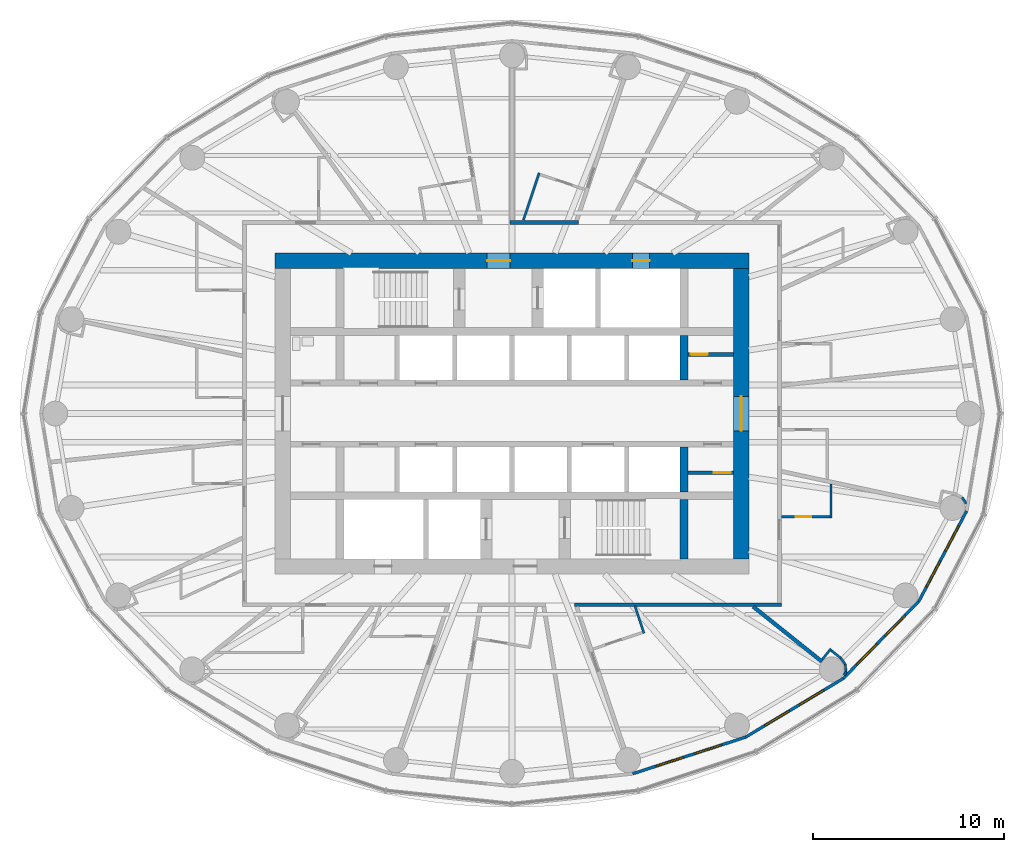
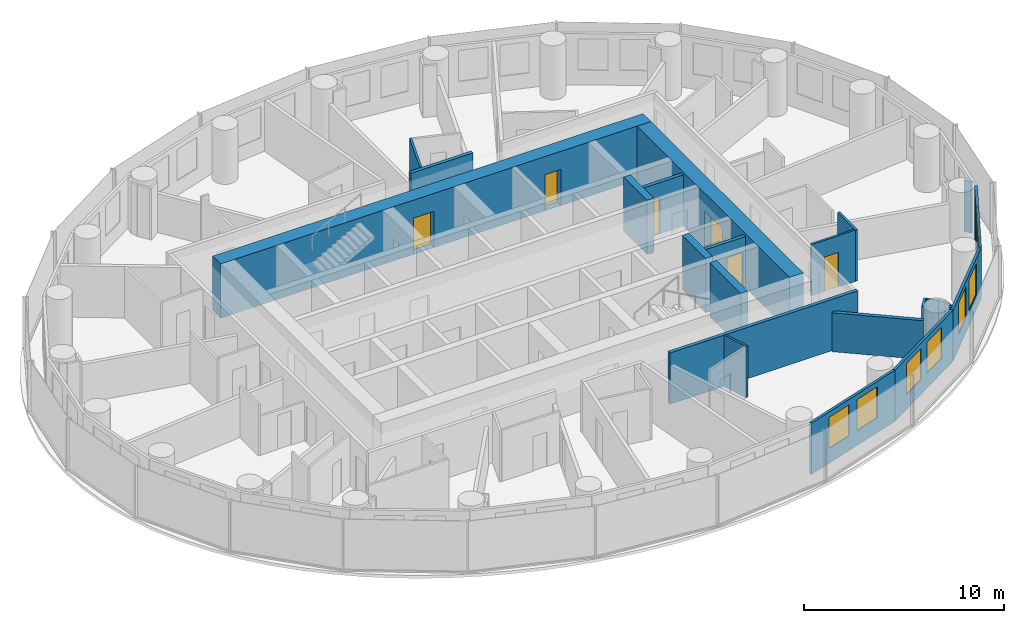
# One storey, part 9 of 14: 24 walls, 8 windows, 6 doors, 14 openings.
"""IFC4 building model written with IfcOpenShell, lengths in metres."""

from ifc_helpers import new_model, si_unit, direction, frame, frame_2d, origin, place, context, subcontext, project, spatial, rectangle, extrude, material, layer, layer_set, type_object, element, fill, save


model = new_model("IFC4")

# Units and contexts
model_context = context("Model", 3, precision=1e-05, world=origin(), true_north=direction((0.0, 1.0)))
body_context = subcontext(model_context, "Body", "Model", "MODEL_VIEW")
ifc_project = project(units=[si_unit("LENGTHUNIT", "METRE"), si_unit("AREAUNIT", "SQUARE_METRE"), si_unit("VOLUMEUNIT", "CUBIC_METRE"), si_unit("PLANEANGLEUNIT", "RADIAN"), si_unit("MASSUNIT", "GRAM", prefix="KILO")], contexts=[model_context])

# Site, building, storey
site_placement = place(None, origin())
site = spatial("IfcSite", under=ifc_project, at=site_placement, CompositionType="ELEMENT")
building_placement = place(site_placement, origin())
building = spatial("IfcBuilding", under=site, at=building_placement, Name="Hankou Lantern Tower", CompositionType="ELEMENT")
storey_placement = place(building_placement, frame((0.0, 0.0, 112.199951171875)))
storey = spatial("IfcBuildingStorey", under=building, at=storey_placement, Name="L28", CompositionType="ELEMENT", Elevation=112.199951171875)

# Wall, openings, doors
ifc_material_1 = material(Name="Concrete C60", Category="concrete")
ifc_layer_1 = layer(ifc_material_1, 0.800048828125)
ifc_layer_set_1 = layer_set([ifc_layer_1], Name="Concrete C60")
wall_type_1 = type_object("IfcWallType", Name="CW2 CORE WALL 800", PredefinedType="SHEAR", material=ifc_layer_set_1)
wall_1_placement = place(storey_placement, frame((-12.39990234375, 8.0, 0.0), z_axis=(0.0, 0.0, 1.0), x_axis=(1.0, 0.0, 0.0)))
wall_1 = element("IfcWall", 1, at=wall_1_placement, inside=storey, type_object=wall_type_1, Name="Core wall north L28", PredefinedType="SHEAR", context=body_context, shape_type="SweptSolid", body=[
    extrude(rectangle(XDim=24.7998046875, YDim=0.800048828125, at=frame_2d((12.39990234375, 0.0))), origin(), (0.0, 0.0, 1.0), 3.300048828125),
])
opening_1_placement = place(wall_1_placement, frame((11.10009765625, 0.0, 0.0)))
opening_1 = element("IfcOpeningElement", 2, at=opening_1_placement, cuts=wall_1, Name="Opening D5", PredefinedType="OPENING", context=body_context, shape_type="SweptSolid", body=[
    extrude(rectangle(XDim=1.199951171875, YDim=2.199951171875, at=frame_2d((0.60009765625, 1.10009765625))), frame((0.0, 0.409912109375, 0.0), z_axis=(0.0, -1.0, 0.0), x_axis=(1.0, 0.0, 0.0)), (0.0, 0.0, 1.0), 0.820068359375),
])
opening_2_placement = place(wall_1_placement, frame((18.699951171875, 0.0, 0.0)))
opening_2 = element("IfcOpeningElement", 3, at=opening_2_placement, cuts=wall_1, Name="Opening D7", PredefinedType="OPENING", context=body_context, shape_type="SweptSolid", body=[
    extrude(rectangle(XDim=0.89990234375, YDim=2.199951171875, at=frame_2d((0.449951171875, 1.10009765625))), frame((0.0, 0.409912109375, 0.0), z_axis=(0.0, -1.0, 0.0), x_axis=(1.0, 0.0, 0.0)), (0.0, 0.0, 1.0), 0.820068359375),
])
ifc_material_2 = material(Name="Steel door leaf", Category="steel")
door_type_1 = type_object("IfcDoorType", Name="D5 STAIR LOBBY DOOR 1200X2200", OperationType="SINGLE_SWING_LEFT", PredefinedType="DOOR", material=ifc_material_2)
door_1_placement = place(opening_1_placement, origin())
door_1 = element("IfcDoor", 4, at=door_1_placement, inside=storey, type_object=door_type_1, Name="Stair A lobby door", OperationType="SINGLE_SWING_LEFT", OverallHeight=2.199951171875, OverallWidth=1.199951171875, PredefinedType="DOOR", context=body_context, shape_type="SweptSolid", body=[
    extrude(rectangle(XDim=1.199951171875, YDim=2.199951171875, at=frame_2d((0.60009765625, 1.10009765625))), frame((0.0, 0.02490234375, 0.0), z_axis=(0.0, -1.0, 0.0), x_axis=(1.0, 0.0, 0.0)), (0.0, 0.0, 1.0), 0.050048828125),
])
fill(opening_1, door_1)
ifc_material_3 = material(Name="Steel door leaf", Category="steel")
door_type_2 = type_object("IfcDoorType", Name="D7 RISER DOOR 900X2200", OperationType="SINGLE_SWING_LEFT", PredefinedType="DOOR", material=ifc_material_3)
door_2_placement = place(opening_2_placement, origin())
door_2 = element("IfcDoor", 5, at=door_2_placement, inside=storey, type_object=door_type_2, Name="Riser N1 door", OperationType="SINGLE_SWING_RIGHT", OverallHeight=2.199951171875, OverallWidth=0.89990234375, PredefinedType="DOOR", context=body_context, shape_type="SweptSolid", body=[
    extrude(rectangle(XDim=0.89990234375, YDim=2.199951171875, at=frame_2d((0.449951171875, 1.10009765625))), frame((0.0, 0.02490234375, 0.0), z_axis=(0.0, -1.0, 0.0), x_axis=(1.0, 0.0, 0.0)), (0.0, 0.0, 1.0), 0.050048828125),
])
fill(opening_2, door_2)

# Wall, opening, door
wall_2_placement = place(storey_placement, frame((12.0, -7.60009765625, 0.0), z_axis=(0.0, 0.0, 1.0), x_axis=(0.0, 1.0, 0.0)))
wall_2 = element("IfcWall", 6, at=wall_2_placement, inside=storey, type_object=wall_type_1, Name="Core wall east L28", PredefinedType="SHEAR", context=body_context, shape_type="SweptSolid", body=[
    extrude(rectangle(XDim=15.2001953125, YDim=0.800048828125, at=frame_2d((7.60009765625, 0.0))), origin(), (0.0, 0.0, 1.0), 3.300048828125),
])
opening_3_placement = place(wall_2_placement, frame((6.699951171875, 0.0, 0.0)))
opening_3 = element("IfcOpeningElement", 7, at=opening_3_placement, cuts=wall_2, Name="Opening D6", PredefinedType="OPENING", context=body_context, shape_type="SweptSolid", body=[
    extrude(rectangle(XDim=1.800048828125, YDim=2.199951171875, at=frame_2d((0.89990234375, 1.10009765625))), frame((0.0, 0.409912109375, 0.0), z_axis=(0.0, -1.0, 0.0), x_axis=(1.0, 0.0, 0.0)), (0.0, 0.0, 1.0), 0.820068359375),
])
ifc_material_4 = material(Name="Steel door leaf", Category="steel")
door_type_3 = type_object("IfcDoorType", Name="D6 LIFT LOBBY DOOR 1800X2200", OperationType="DOUBLE_DOOR_DOUBLE_SWING", PredefinedType="DOOR", material=ifc_material_4)
door_3_placement = place(opening_3_placement, origin())
door_3 = element("IfcDoor", 8, at=door_3_placement, inside=storey, type_object=door_type_3, Name="Lift lobby east door", OperationType="DOUBLE_DOOR_DOUBLE_SWING", OverallHeight=2.199951171875, OverallWidth=1.800048828125, PredefinedType="DOOR", context=body_context, shape_type="SweptSolid", body=[
    extrude(rectangle(XDim=1.800048828125, YDim=2.199951171875, at=frame_2d((0.89990234375, 1.10009765625))), frame((0.0, 0.02490234375, 0.0), z_axis=(0.0, -1.0, 0.0), x_axis=(1.0, 0.0, 0.0)), (0.0, 0.0, 1.0), 0.050048828125),
])
fill(opening_3, door_3)

# Walls
ifc_material_5 = material(Name="Concrete C60", Category="concrete")
ifc_layer_2 = layer(ifc_material_5, 0.39990234375)
ifc_layer_set_2 = layer_set([ifc_layer_2], Name="Concrete C60")
wall_type_2 = type_object("IfcWallType", Name="CW4 CORE CROSS WALL 400", PredefinedType="SHEAR", material=ifc_layer_set_2)
for number, where, z_axis, x_axis, name in (
    (9, (9.0, 1.75, 0.0), (0.0, 0.0, 1.0), (0.0, 1.0, 0.0), "Core strip wall L28"),
    (10, (9.0, -4.10009765625, 0.0), (0.0, 0.0, 1.0), (0.0, 1.0, 0.0), "Core strip wall L28"),
):
    element("IfcWall", number, at=place(storey_placement, frame(where, z_axis=z_axis, x_axis=x_axis)), inside=storey, type_object=wall_type_2, Name=name, PredefinedType="SHEAR", context=body_context, shape_type="SweptSolid", body=[
        extrude(rectangle(XDim=2.35009765625, YDim=0.39990234375, at=frame_2d((1.175048828125, 0.0))), origin(), (0.0, 0.0, 1.0), 3.300048828125),
    ])
wall_3_placement = place(storey_placement, frame((9.0, -7.60009765625, 0.0), z_axis=(0.0, 0.0, 1.0), x_axis=(0.0, 1.0, 0.0)))
element("IfcWall", 11, at=wall_3_placement, inside=storey, type_object=wall_type_2, Name="Core strip wall L28", PredefinedType="SHEAR", context=body_context, shape_type="SweptSolid", body=[
    extrude(rectangle(XDim=3.10009765625, YDim=0.39990234375, at=frame_2d((1.550048828125, 0.0))), origin(), (0.0, 0.0, 1.0), 3.300048828125),
])

# Wall, openings, windows
ifc_material_6 = material(Name="Aluminium spandrel panel on steel studs", Category="steel")
ifc_layer_3 = layer(ifc_material_6, 0.14990234375)
ifc_layer_set_3 = layer_set([ifc_layer_3], Name="Aluminium spandrel panel on steel studs")
wall_type_3 = type_object("IfcWallType", Name="EW1 INNER SKIN WALL 150", PredefinedType="ELEMENTEDWALL", material=ifc_layer_set_3)
wall_4_placement = place(storey_placement, frame((6.3134765625, -18.849609375, 0.0), z_axis=(0.0, 0.0, 1.0), x_axis=(0.951272691506, 0.308350881944, 0.0)))
wall_4 = element("IfcWall", 12, at=wall_4_placement, inside=storey, type_object=wall_type_3, Name="Inner skin R20-R21 L28", PredefinedType="ELEMENTEDWALL", context=body_context, shape_type="SweptSolid", body=[
    extrude(rectangle(XDim=6.210693359375, YDim=0.14990234375, at=frame_2d((3.10546875, 0.0))), origin(), (0.0, 0.0, 1.0), 3.1201171875),
])
opening_4_placement = place(wall_4_placement, frame((1.305419921875, 0.0, 0.89990234375)))
opening_4 = element("IfcOpeningElement", 13, at=opening_4_placement, cuts=wall_4, Name="Opening W2", PredefinedType="OPENING", context=body_context, shape_type="SweptSolid", body=[
    extrude(rectangle(XDim=1.5, YDim=1.89990234375, at=frame_2d((0.75, 0.949951171875))), frame((0.0, 0.0849609375, 0.0), z_axis=(0.0, -1.0, 0.0), x_axis=(1.0, 0.0, 0.0)), (0.0, 0.0, 1.0), 0.169921875),
])
opening_5_placement = place(wall_4_placement, frame((3.4052734375, 0.0, 0.89990234375)))
opening_5 = element("IfcOpeningElement", 14, at=opening_5_placement, cuts=wall_4, Name="Opening W2", PredefinedType="OPENING", context=body_context, shape_type="SweptSolid", body=[
    extrude(rectangle(XDim=1.5, YDim=1.89990234375, at=frame_2d((0.75, 0.949951171875))), frame((0.0, 0.0849609375, 0.0), z_axis=(0.0, -1.0, 0.0), x_axis=(1.0, 0.0, 0.0)), (0.0, 0.0, 1.0), 0.169921875),
])
ifc_material_7 = material(Name="Aluminium framed double glazed window", Category="aluminium")
window_type = type_object("IfcWindowType", Name="W2 GUEST ROOM WINDOW 1500X1900", PartitioningType="DOUBLE_PANEL_VERTICAL", PredefinedType="WINDOW", material=ifc_material_7)
window_1_placement = place(opening_4_placement, origin())
window_1 = element("IfcWindow", 15, at=window_1_placement, inside=storey, type_object=window_type, Name="Window R20.1 L28", OverallHeight=1.89990234375, OverallWidth=1.5, PartitioningType="SINGLE_PANEL", PredefinedType="WINDOW", context=body_context, shape_type="SweptSolid", body=[
    extrude(rectangle(XDim=1.5, YDim=1.89990234375, at=frame_2d((0.75, 0.949951171875))), frame((0.0, 0.030029296875, 0.0), z_axis=(0.0, -1.0, 0.0), x_axis=(1.0, 0.0, 0.0)), (0.0, 0.0, 1.0), 0.06005859375),
])
fill(opening_4, window_1)
window_2_placement = place(opening_5_placement, origin())
window_2 = element("IfcWindow", 16, at=window_2_placement, inside=storey, type_object=window_type, Name="Window R20.2 L28", OverallHeight=1.89990234375, OverallWidth=1.5, PartitioningType="SINGLE_PANEL", PredefinedType="WINDOW", context=body_context, shape_type="SweptSolid", body=[
    extrude(rectangle(XDim=1.5, YDim=1.89990234375, at=frame_2d((0.75, 0.949951171875))), frame((0.0, 0.030029296875, 0.0), z_axis=(0.0, -1.0, 0.0), x_axis=(1.0, 0.0, 0.0)), (0.0, 0.0, 1.0), 0.06005859375),
])
fill(opening_5, window_2)

wall_5_placement = place(storey_placement, frame((12.221435546875, -16.9345703125, 0.0), z_axis=(0.0, 0.0, 1.0), x_axis=(0.857308573723, 0.514802884044, 0.0)))
wall_5 = element("IfcWall", 17, at=wall_5_placement, inside=storey, type_object=wall_type_3, Name="Inner skin R21-R22 L28", PredefinedType="ELEMENTEDWALL", context=body_context, shape_type="SweptSolid", body=[
    extrude(rectangle(XDim=5.961181640625, YDim=0.14990234375, at=frame_2d((2.98046875, 0.0))), origin(), (0.0, 0.0, 1.0), 3.1201171875),
])
opening_6_placement = place(wall_5_placement, frame((1.1806640625, 0.0, 0.89990234375)))
opening_6 = element("IfcOpeningElement", 18, at=opening_6_placement, cuts=wall_5, Name="Opening W2", PredefinedType="OPENING", context=body_context, shape_type="SweptSolid", body=[
    extrude(rectangle(XDim=1.5, YDim=1.89990234375, at=frame_2d((0.75, 0.949951171875))), frame((0.0, 0.0849609375, 0.0), z_axis=(0.0, -1.0, 0.0), x_axis=(1.0, 0.0, 0.0)), (0.0, 0.0, 1.0), 0.169921875),
])
opening_7_placement = place(wall_5_placement, frame((3.280517578125, 0.0, 0.89990234375)))
opening_7 = element("IfcOpeningElement", 19, at=opening_7_placement, cuts=wall_5, Name="Opening W2", PredefinedType="OPENING", context=body_context, shape_type="SweptSolid", body=[
    extrude(rectangle(XDim=1.5, YDim=1.89990234375, at=frame_2d((0.75, 0.949951171875))), frame((0.0, 0.0849609375, 0.0), z_axis=(0.0, -1.0, 0.0), x_axis=(1.0, 0.0, 0.0)), (0.0, 0.0, 1.0), 0.169921875),
])
window_3_placement = place(opening_6_placement, origin())
window_3 = element("IfcWindow", 20, at=window_3_placement, inside=storey, type_object=window_type, Name="Window R21.1 L28", OverallHeight=1.89990234375, OverallWidth=1.5, PartitioningType="SINGLE_PANEL", PredefinedType="WINDOW", context=body_context, shape_type="SweptSolid", body=[
    extrude(rectangle(XDim=1.5, YDim=1.89990234375, at=frame_2d((0.75, 0.949951171875))), frame((0.0, 0.030029296875, 0.0), z_axis=(0.0, -1.0, 0.0), x_axis=(1.0, 0.0, 0.0)), (0.0, 0.0, 1.0), 0.06005859375),
])
fill(opening_6, window_3)
window_4_placement = place(opening_7_placement, origin())
window_4 = element("IfcWindow", 21, at=window_4_placement, inside=storey, type_object=window_type, Name="Window R21.2 L28", OverallHeight=1.89990234375, OverallWidth=1.5, PartitioningType="SINGLE_PANEL", PredefinedType="WINDOW", context=body_context, shape_type="SweptSolid", body=[
    extrude(rectangle(XDim=1.5, YDim=1.89990234375, at=frame_2d((0.75, 0.949951171875))), frame((0.0, 0.030029296875, 0.0), z_axis=(0.0, -1.0, 0.0), x_axis=(1.0, 0.0, 0.0)), (0.0, 0.0, 1.0), 0.06005859375),
])
fill(opening_7, window_4)

wall_6_placement = place(storey_placement, frame((17.33203125, -13.86572265625, 0.0), z_axis=(0.0, 0.0, 1.0), x_axis=(0.700136650834, 0.714008872605, 0.0)))
wall_6 = element("IfcWall", 22, at=wall_6_placement, inside=storey, type_object=wall_type_3, Name="Inner skin R22-R23 L28", PredefinedType="ELEMENTEDWALL", context=body_context, shape_type="SweptSolid", body=[
    extrude(rectangle(XDim=5.6494140625, YDim=0.14990234375, at=frame_2d((2.82470703125, 0.0))), origin(), (0.0, 0.0, 1.0), 3.1201171875),
])
opening_8_placement = place(wall_6_placement, frame((1.024658203125, 0.0, 0.89990234375)))
opening_8 = element("IfcOpeningElement", 23, at=opening_8_placement, cuts=wall_6, Name="Opening W2", PredefinedType="OPENING", context=body_context, shape_type="SweptSolid", body=[
    extrude(rectangle(XDim=1.5, YDim=1.89990234375, at=frame_2d((0.75, 0.949951171875))), frame((0.0, 0.0849609375, 0.0), z_axis=(0.0, -1.0, 0.0), x_axis=(1.0, 0.0, 0.0)), (0.0, 0.0, 1.0), 0.169921875),
])
opening_9_placement = place(wall_6_placement, frame((3.12451171875, 0.0, 0.89990234375)))
opening_9 = element("IfcOpeningElement", 24, at=opening_9_placement, cuts=wall_6, Name="Opening W2", PredefinedType="OPENING", context=body_context, shape_type="SweptSolid", body=[
    extrude(rectangle(XDim=1.5, YDim=1.89990234375, at=frame_2d((0.75, 0.949951171875))), frame((0.0, 0.0849609375, 0.0), z_axis=(0.0, -1.0, 0.0), x_axis=(1.0, 0.0, 0.0)), (0.0, 0.0, 1.0), 0.169921875),
])
window_5_placement = place(opening_8_placement, origin())
window_5 = element("IfcWindow", 25, at=window_5_placement, inside=storey, type_object=window_type, Name="Window R22.1 L28", OverallHeight=1.89990234375, OverallWidth=1.5, PartitioningType="SINGLE_PANEL", PredefinedType="WINDOW", context=body_context, shape_type="SweptSolid", body=[
    extrude(rectangle(XDim=1.5, YDim=1.89990234375, at=frame_2d((0.75, 0.949951171875))), frame((0.0, 0.030029296875, 0.0), z_axis=(0.0, -1.0, 0.0), x_axis=(1.0, 0.0, 0.0)), (0.0, 0.0, 1.0), 0.06005859375),
])
fill(opening_8, window_5)
window_6_placement = place(opening_9_placement, origin())
window_6 = element("IfcWindow", 26, at=window_6_placement, inside=storey, type_object=window_type, Name="Window R22.2 L28", OverallHeight=1.89990234375, OverallWidth=1.5, PartitioningType="SINGLE_PANEL", PredefinedType="WINDOW", context=body_context, shape_type="SweptSolid", body=[
    extrude(rectangle(XDim=1.5, YDim=1.89990234375, at=frame_2d((0.75, 0.949951171875))), frame((0.0, 0.030029296875, 0.0), z_axis=(0.0, -1.0, 0.0), x_axis=(1.0, 0.0, 0.0)), (0.0, 0.0, 1.0), 0.06005859375),
])
fill(opening_9, window_6)

wall_7_placement = place(storey_placement, frame((21.287353515625, -9.83203125, 0.0), z_axis=(0.0, 0.0, 1.0), x_axis=(0.467814388454, 0.883826735257, 0.0)))
wall_7 = element("IfcWall", 27, at=wall_7_placement, inside=storey, type_object=wall_type_3, Name="Inner skin R23-R24 L28", PredefinedType="ELEMENTEDWALL", context=body_context, shape_type="SweptSolid", body=[
    extrude(rectangle(XDim=5.35400390625, YDim=0.14990234375, at=frame_2d((2.677001953125, 0.0))), origin(), (0.0, 0.0, 1.0), 3.1201171875),
])
opening_10_placement = place(wall_7_placement, frame((0.876953125, 0.0, 0.89990234375)))
opening_10 = element("IfcOpeningElement", 28, at=opening_10_placement, cuts=wall_7, Name="Opening W2", PredefinedType="OPENING", context=body_context, shape_type="SweptSolid", body=[
    extrude(rectangle(XDim=1.5, YDim=1.89990234375, at=frame_2d((0.75, 0.949951171875))), frame((0.0, 0.0849609375, 0.0), z_axis=(0.0, -1.0, 0.0), x_axis=(1.0, 0.0, 0.0)), (0.0, 0.0, 1.0), 0.169921875),
])
opening_11_placement = place(wall_7_placement, frame((2.97705078125, 0.0, 0.89990234375)))
opening_11 = element("IfcOpeningElement", 29, at=opening_11_placement, cuts=wall_7, Name="Opening W2", PredefinedType="OPENING", context=body_context, shape_type="SweptSolid", body=[
    extrude(rectangle(XDim=1.5, YDim=1.89990234375, at=frame_2d((0.75, 0.949951171875))), frame((0.0, 0.0849609375, 0.0), z_axis=(0.0, -1.0, 0.0), x_axis=(1.0, 0.0, 0.0)), (0.0, 0.0, 1.0), 0.169921875),
])
window_7_placement = place(opening_10_placement, origin())
window_7 = element("IfcWindow", 30, at=window_7_placement, inside=storey, type_object=window_type, Name="Window R23.1 L28", OverallHeight=1.89990234375, OverallWidth=1.5, PartitioningType="SINGLE_PANEL", PredefinedType="WINDOW", context=body_context, shape_type="SweptSolid", body=[
    extrude(rectangle(XDim=1.5, YDim=1.89990234375, at=frame_2d((0.75, 0.949951171875))), frame((0.0, 0.030029296875, 0.0), z_axis=(0.0, -1.0, 0.0), x_axis=(1.0, 0.0, 0.0)), (0.0, 0.0, 1.0), 0.06005859375),
])
fill(opening_10, window_7)
window_8_placement = place(opening_11_placement, origin())
window_8 = element("IfcWindow", 31, at=window_8_placement, inside=storey, type_object=window_type, Name="Window R23.2 L28", OverallHeight=1.89990234375, OverallWidth=1.5, PartitioningType="SINGLE_PANEL", PredefinedType="WINDOW", context=body_context, shape_type="SweptSolid", body=[
    extrude(rectangle(XDim=1.5, YDim=1.89990234375, at=frame_2d((0.75, 0.949951171875))), frame((0.0, 0.030029296875, 0.0), z_axis=(0.0, -1.0, 0.0), x_axis=(1.0, 0.0, 0.0)), (0.0, 0.0, 1.0), 0.06005859375),
])
fill(opening_11, window_8)

# Walls
ifc_material_8 = material(Name="Masonry lightweight concrete block", Category="masonry")
ifc_layer_4 = layer(ifc_material_8, 0.199951171875)
ifc_layer_set_4 = layer_set([ifc_layer_4], Name="Masonry lightweight concrete block")
wall_type_4 = type_object("IfcWallType", Name="IW1 GUEST ROOM PARTY WALL 200", PredefinedType="PARTITIONING", material=ifc_layer_set_4)
wall_8_placement = place(storey_placement, frame((12.625, -10.10009765625, 0.0), z_axis=(0.0, 0.0, 1.0), x_axis=(0.780863644897, -0.624701503182, 0.0)))
element("IfcWall", 32, at=wall_8_placement, inside=storey, type_object=wall_type_4, Name="Party wall R22", PredefinedType="PARTITIONING", context=body_context, shape_type="SweptSolid", body=[
    extrude(rectangle(XDim=4.612060546875, YDim=0.199951171875, at=frame_2d((2.30615234375, 0.0))), origin(), (0.0, 0.0, 1.0), 2.3701171875),
])
ifc_material_9 = material(Name="Masonry lightweight concrete block", Category="masonry")
ifc_layer_5 = layer(ifc_material_9, 0.199951171875)
ifc_layer_set_5 = layer_set([ifc_layer_5], Name="Masonry lightweight concrete block")
wall_type_5 = type_object("IfcWallType", Name="IW2 CORRIDOR WALL 200", PredefinedType="PARTITIONING", material=ifc_layer_set_5)
wall_9_placement = place(storey_placement, frame((14.10009765625, -10.0, 0.0), z_axis=(0.0, 0.0, 1.0), x_axis=(-1.0, 0.0, 0.0)))
element("IfcWall", 33, at=wall_9_placement, inside=storey, type_object=wall_type_5, Name="Corridor wall south", PredefinedType="PARTITIONING", context=body_context, shape_type="SweptSolid", body=[
    extrude(rectangle(XDim=10.817138671875, YDim=0.199951171875, at=frame_2d((5.40869140625, 0.0))), origin(), (0.0, 0.0, 1.0), 3.1201171875),
])
wall_10_placement = place(storey_placement, frame((-0.10009765625, 10.0, 0.0), z_axis=(0.0, 0.0, 1.0), x_axis=(1.0, 0.0, 0.0)))
element("IfcWall", 34, at=wall_10_placement, inside=storey, type_object=wall_type_5, Name="Corridor wall north", PredefinedType="PARTITIONING", context=body_context, shape_type="SweptSolid", body=[
    extrude(rectangle(XDim=3.5830078125, YDim=0.199951171875, at=frame_2d((1.79150390625, 0.0))), origin(), (0.0, 0.0, 1.0), 3.1201171875),
])
ifc_material_10 = material(Name="Masonry lightweight concrete block", Category="masonry")
ifc_layer_6 = layer(ifc_material_10, 0.1201171875)
ifc_layer_set_6 = layer_set([ifc_layer_6], Name="Masonry lightweight concrete block")
wall_type_6 = type_object("IfcWallType", Name="IW3 BATHROOM WALL 120", PredefinedType="PARTITIONING", material=ifc_layer_set_6)
wall_11_placement = place(storey_placement, frame((0.598876953125, 10.1318359375, 0.0), z_axis=(0.0, 0.0, 1.0), x_axis=(0.317554522053, 0.948240014724, 0.0)))
element("IfcWall", 35, at=wall_11_placement, inside=storey, type_object=wall_type_6, Name="Box wall 2802 1", PredefinedType="PARTITIONING", context=body_context, shape_type="SweptSolid", body=[
    extrude(rectangle(XDim=2.593994140625, YDim=0.1201171875, at=frame_2d((1.296875, 0.0))), origin(), (0.0, 0.0, 1.0), 3.1201171875),
])
wall_12_placement = place(storey_placement, frame((6.4306640625, -10.068359375, 0.0), z_axis=(0.0, 0.0, 1.0), x_axis=(0.317592729703, -0.948227218571, 0.0)))
element("IfcWall", 36, at=wall_12_placement, inside=storey, type_object=wall_type_6, Name="Box wall 2815 1", PredefinedType="PARTITIONING", context=body_context, shape_type="SweptSolid", body=[
    extrude(rectangle(XDim=1.502197265625, YDim=0.1201171875, at=frame_2d((0.7509765625, 0.0))), origin(), (0.0, 0.0, 1.0), 3.1201171875),
])
wall_13_placement = place(storey_placement, frame((16.699951171875, -3.6796875, 0.0), z_axis=(0.0, 0.0, 1.0), x_axis=(0.0, -1.0, 0.0)))
element("IfcWall", 37, at=wall_13_placement, inside=storey, type_object=wall_type_6, Name="Box wall 2816 1", PredefinedType="PARTITIONING", context=body_context, shape_type="SweptSolid", body=[
    extrude(rectangle(XDim=1.78271484375, YDim=0.1201171875, at=frame_2d((0.891357421875, 0.0))), origin(), (0.0, 0.0, 1.0), 3.1201171875),
])

# Wall, opening, door
wall_14_placement = place(storey_placement, frame((14.10009765625, -5.402587890625, 0.0), z_axis=(0.0, 0.0, 1.0), x_axis=(1.0, 0.0, 0.0)))
wall_14 = element("IfcWall", 38, at=wall_14_placement, inside=storey, type_object=wall_type_6, Name="Box wall 2816 1", PredefinedType="PARTITIONING", context=body_context, shape_type="SweptSolid", body=[
    extrude(rectangle(XDim=2.539794921875, YDim=0.1201171875, at=frame_2d((1.27001953125, 0.0))), origin(), (0.0, 0.0, 1.0), 3.1201171875),
])
opening_12_placement = place(wall_14_placement, frame((0.75, 0.0, 0.0)))
opening_12 = element("IfcOpeningElement", 39, at=opening_12_placement, cuts=wall_14, Name="Opening D3", PredefinedType="OPENING", context=body_context, shape_type="SweptSolid", body=[
    extrude(rectangle(XDim=0.800048828125, YDim=2.10009765625, at=frame_2d((0.39990234375, 1.050048828125))), frame((0.0, 0.070068359375, 0.0), z_axis=(0.0, -1.0, 0.0), x_axis=(1.0, 0.0, 0.0)), (0.0, 0.0, 1.0), 0.14013671875),
])
ifc_material_11 = material(Name="Timber door leaf", Category="wood")
door_type_4 = type_object("IfcDoorType", Name="D3 BATHROOM DOOR 800X2100", OperationType="SINGLE_SWING_LEFT", PredefinedType="DOOR", material=ifc_material_11)
door_4_placement = place(opening_12_placement, origin())
door_4 = element("IfcDoor", 40, at=door_4_placement, inside=storey, type_object=door_type_4, Name="Junior suite 2816 bathroom door", OperationType="SINGLE_SWING_LEFT", OverallHeight=2.10009765625, OverallWidth=0.800048828125, PredefinedType="DOOR", context=body_context, shape_type="SweptSolid", body=[
    extrude(rectangle(XDim=0.800048828125, YDim=2.10009765625, at=frame_2d((0.39990234375, 1.050048828125))), frame((0.0, 0.02490234375, 0.0), z_axis=(0.0, -1.0, 0.0), x_axis=(1.0, 0.0, 0.0)), (0.0, 0.0, 1.0), 0.050048828125),
])
fill(opening_12, door_4)

# Walls
ifc_material_12 = material(Name="Masonry lightweight concrete block", Category="masonry")
ifc_layer_7 = layer(ifc_material_12, 0.1201171875)
ifc_layer_set_7 = layer_set([ifc_layer_7], Name="Masonry lightweight concrete block")
wall_type_7 = type_object("IfcWallType", Name="IW4 PARTITION 120", PredefinedType="PARTITIONING", material=ifc_layer_set_7)
wall_15_placement = place(storey_placement, frame((16.241943359375, -12.865478515625, 0.0), z_axis=(0.0, 0.0, 1.0), x_axis=(0.624861414622, 0.780735686719, 0.0)))
element("IfcWall", 41, at=wall_15_placement, inside=storey, type_object=wall_type_7, Name="Column casing R22 return", PredefinedType="PARTITIONING", context=body_context, shape_type="SweptSolid", body=[
    extrude(rectangle(XDim=0.7158203125, YDim=0.1201171875, at=frame_2d((0.35791015625, 0.0))), origin(), (0.0, 0.0, 1.0), 3.1201171875),
])
wall_16_placement = place(storey_placement, frame((16.698486328125, -12.390869140625, 0.0), z_axis=(0.0, 0.0, 1.0), x_axis=(0.780722240533, -0.624878214645, 0.0)))
element("IfcWall", 42, at=wall_16_placement, inside=storey, type_object=wall_type_7, Name="Column casing R22", PredefinedType="PARTITIONING", context=body_context, shape_type="SweptSolid", body=[
    extrude(rectangle(XDim=0.650146484375, YDim=0.1201171875, at=frame_2d((0.3251953125, 0.0))), origin(), (0.0, 0.0, 1.0), 3.1201171875),
])
wall_17_placement = place(storey_placement, frame((17.2060546875, -12.797119140625, 0.0), z_axis=(0.0, 0.0, 1.0), x_axis=(0.592986095904, -0.805212698648, 0.0)))
element("IfcWall", 43, at=wall_17_placement, inside=storey, type_object=wall_type_7, Name="Column casing R22", PredefinedType="PARTITIONING", context=body_context, shape_type="SweptSolid", body=[
    extrude(rectangle(XDim=0.39111328125, YDim=0.1201171875, at=frame_2d((0.195556640625, 0.0))), origin(), (0.0, 0.0, 1.0), 3.1201171875),
])
wall_18_placement = place(storey_placement, frame((17.43798828125, -13.112060546875, 0.0), z_axis=(0.0, 0.0, 1.0), x_axis=(0.109815164188, -0.993952025862, 0.0)))
element("IfcWall", 44, at=wall_18_placement, inside=storey, type_object=wall_type_7, Name="Column casing R22", PredefinedType="PARTITIONING", context=body_context, shape_type="SweptSolid", body=[
    extrude(rectangle(XDim=0.391357421875, YDim=0.1201171875, at=frame_2d((0.19580078125, 0.0))), origin(), (0.0, 0.0, 1.0), 3.1201171875),
])
wall_19_placement = place(storey_placement, frame((17.48095703125, -13.5009765625, 0.0), z_axis=(0.0, 0.0, 1.0), x_axis=(-0.401504188288, -0.915857186895, 0.0)))
element("IfcWall", 45, at=wall_19_placement, inside=storey, type_object=wall_type_7, Name="Column casing R22", PredefinedType="PARTITIONING", context=body_context, shape_type="SweptSolid", body=[
    extrude(rectangle(XDim=0.20556640625, YDim=0.1201171875, at=frame_2d((0.102783203125, 0.0))), origin(), (0.0, 0.0, 1.0), 3.1201171875),
])
wall_20_placement = place(storey_placement, frame((23.5615234375, -4.38134765625, 0.0), z_axis=(0.0, 0.0, 1.0), x_axis=(0.543121848217, -0.839653891784, 0.0)))
element("IfcWall", 46, at=wall_20_placement, inside=storey, type_object=wall_type_7, Name="Column casing R24", PredefinedType="PARTITIONING", context=body_context, shape_type="SweptSolid", body=[
    extrude(rectangle(XDim=0.39111328125, YDim=0.1201171875, at=frame_2d((0.195556640625, 0.0))), origin(), (0.0, 0.0, 1.0), 3.1201171875),
])

# Wall, opening, door
ifc_material_13 = material(Name="Masonry lightweight concrete block", Category="masonry")
ifc_layer_8 = layer(ifc_material_13, 0.199951171875)
ifc_layer_set_8 = layer_set([ifc_layer_8], Name="Masonry lightweight concrete block")
wall_type_8 = type_object("IfcWallType", Name="IW8 PARTITION 200", PredefinedType="PARTITIONING", material=ifc_layer_set_8)
wall_21_placement = place(storey_placement, frame((9.199951171875, 3.10009765625, 0.0), z_axis=(0.0, 0.0, 1.0), x_axis=(1.0, 0.0, 0.0)))
wall_21 = element("IfcWall", 47, at=wall_21_placement, inside=storey, type_object=wall_type_8, Name="Partition it and telecoms room", PredefinedType="PARTITIONING", context=body_context, shape_type="SweptSolid", body=[
    extrude(rectangle(XDim=2.400146484375, YDim=0.199951171875, at=frame_2d((1.2001953125, 0.0))), origin(), (0.0, 0.0, 1.0), 3.1201171875),
])
opening_13_placement = place(wall_21_placement, frame((0.14990234375, 0.0, 0.0)))
opening_13 = element("IfcOpeningElement", 48, at=opening_13_placement, cuts=wall_21, Name="Opening D12", PredefinedType="OPENING", context=body_context, shape_type="SweptSolid", body=[
    extrude(rectangle(XDim=0.89990234375, YDim=2.199951171875, at=frame_2d((0.449951171875, 1.10009765625))), frame((0.0, 0.10986328125, 0.0), z_axis=(0.0, -1.0, 0.0), x_axis=(1.0, 0.0, 0.0)), (0.0, 0.0, 1.0), 0.219970703125),
])
ifc_material_14 = material(Name="Steel door leaf", Category="steel")
door_type_5 = type_object("IfcDoorType", Name="D12 STORE DOOR 900X2200", OperationType="SINGLE_SWING_LEFT", PredefinedType="DOOR", material=ifc_material_14)
door_5_placement = place(opening_13_placement, origin())
door_5 = element("IfcDoor", 49, at=door_5_placement, inside=storey, type_object=door_type_5, Name="Comms cupboard door", OperationType="SINGLE_SWING_LEFT", OverallHeight=2.199951171875, OverallWidth=0.89990234375, PredefinedType="DOOR", context=body_context, shape_type="SweptSolid", body=[
    extrude(rectangle(XDim=0.89990234375, YDim=2.199951171875, at=frame_2d((0.449951171875, 1.10009765625))), frame((0.0, 0.02490234375, 0.0), z_axis=(0.0, -1.0, 0.0), x_axis=(1.0, 0.0, 0.0)), (0.0, 0.0, 1.0), 0.050048828125),
])
fill(opening_13, door_5)

wall_22_placement = place(storey_placement, frame((9.199951171875, -3.10009765625, 0.0), z_axis=(0.0, 0.0, 1.0), x_axis=(1.0, 0.0, 0.0)))
wall_22 = element("IfcWall", 50, at=wall_22_placement, inside=storey, type_object=wall_type_8, Name="Partition minibar store", PredefinedType="PARTITIONING", context=body_context, shape_type="SweptSolid", body=[
    extrude(rectangle(XDim=2.400146484375, YDim=0.199951171875, at=frame_2d((1.2001953125, 0.0))), origin(), (0.0, 0.0, 1.0), 3.1201171875),
])
opening_14_placement = place(wall_22_placement, frame((1.35009765625, 0.0, 0.0)))
opening_14 = element("IfcOpeningElement", 51, at=opening_14_placement, cuts=wall_22, Name="Opening D12", PredefinedType="OPENING", context=body_context, shape_type="SweptSolid", body=[
    extrude(rectangle(XDim=0.89990234375, YDim=2.199951171875, at=frame_2d((0.449951171875, 1.10009765625))), frame((0.0, 0.10986328125, 0.0), z_axis=(0.0, -1.0, 0.0), x_axis=(1.0, 0.0, 0.0)), (0.0, 0.0, 1.0), 0.219970703125),
])
door_6_placement = place(opening_14_placement, origin())
door_6 = element("IfcDoor", 52, at=door_6_placement, inside=storey, type_object=door_type_5, Name="Minibar stock cupboard door", OperationType="SINGLE_SWING_RIGHT", OverallHeight=2.199951171875, OverallWidth=0.89990234375, PredefinedType="DOOR", context=body_context, shape_type="SweptSolid", body=[
    extrude(rectangle(XDim=0.89990234375, YDim=2.199951171875, at=frame_2d((0.449951171875, 1.10009765625))), frame((0.0, 0.02490234375, 0.0), z_axis=(0.0, -1.0, 0.0), x_axis=(1.0, 0.0, 0.0)), (0.0, 0.0, 1.0), 0.050048828125),
])
fill(opening_14, door_6)

save(model, "model.ifc")
